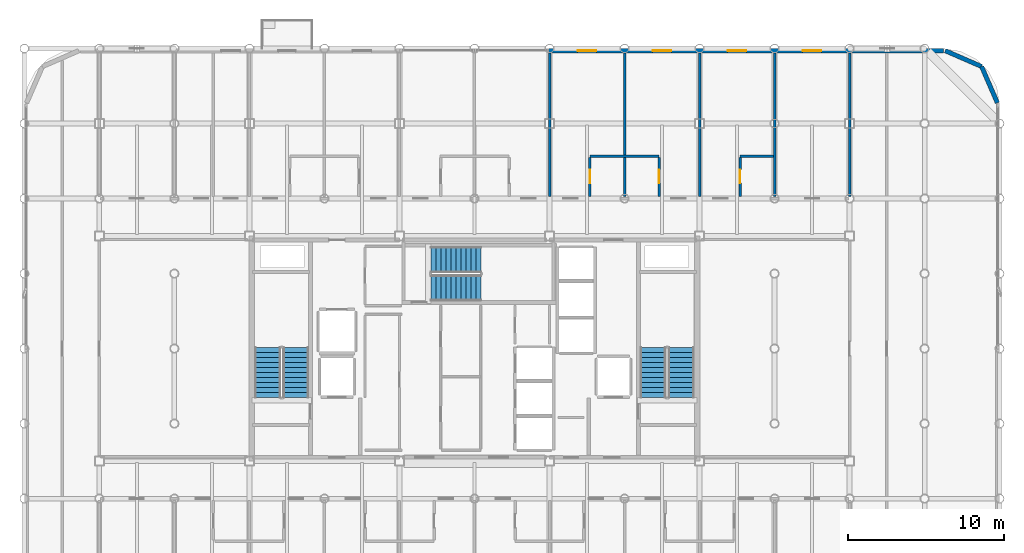
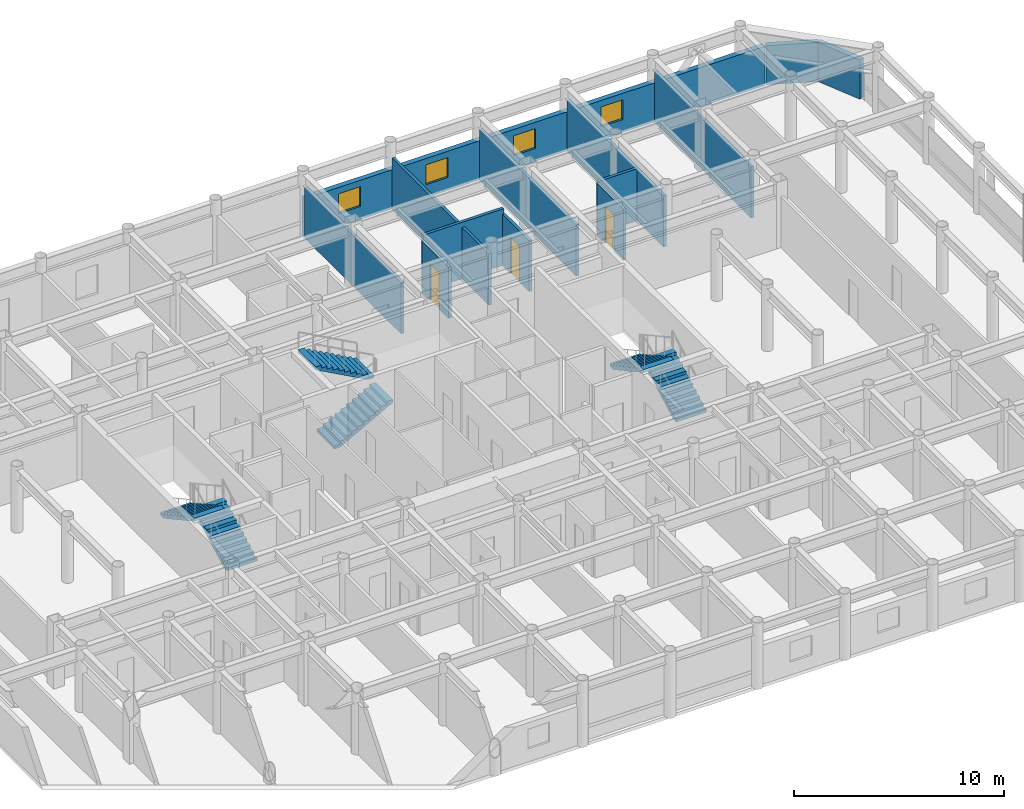
# One storey, part 21 of 23: 13 walls, 6 stair flights, 4 windows, 3 doors, 7 openings, 3 elements without a shape of their own.
"""IFC4 building model written with IfcOpenShell, lengths in metres."""

from ifc_helpers import new_model, si_unit, direction, frame, frame_2d, origin, place, context, subcontext, project, spatial, polyline, rectangle, outline, extrude, material, layer, layer_set, type_object, element, fill, aggregate, save


model = new_model("IFC4")

# Units and contexts
model_context = context("Model", 3, precision=1e-05, world=origin(), true_north=direction((0.0, 1.0)))
body_context = subcontext(model_context, "Body", "Model", "MODEL_VIEW")
ifc_project = project(units=[si_unit("LENGTHUNIT", "METRE"), si_unit("AREAUNIT", "SQUARE_METRE"), si_unit("VOLUMEUNIT", "CUBIC_METRE"), si_unit("PLANEANGLEUNIT", "RADIAN"), si_unit("MASSUNIT", "GRAM", prefix="KILO")], contexts=[model_context])

# Site, building, storey
site_placement = place(None, origin())
site = spatial("IfcSite", under=ifc_project, at=site_placement, CompositionType="ELEMENT")
building_placement = place(site_placement, origin())
building = spatial("IfcBuilding", under=site, at=building_placement, Name="Kallvorn Hotel Tower", CompositionType="ELEMENT")
storey_placement = place(building_placement, frame((0.0, 0.0, 195.35009765625)))
storey = spatial("IfcBuildingStorey", under=building, at=storey_placement, Name="L48", CompositionType="ELEMENT", Elevation=195.35009765625)

# Walls
ifc_material_1 = material(Name="Fire-rated double-layer acoustic gypsum drywall EI 60")
ifc_layer_1 = layer(ifc_material_1, 0.159912109375)
ifc_layer_set_1 = layer_set([ifc_layer_1], Name="WL_DEMISE_160")
wall_type_1 = type_object("IfcWallType", Name="WL_DEMISE_160", PredefinedType="PARTITIONING", material=ifc_layer_set_1)
wall_1_placement = place(storey_placement, frame((7.389892578125, 12.320068359375, 0.0), z_axis=(0.0, 0.0, 1.0), x_axis=(1.0, 0.0, 0.0)))
element("IfcWall", 1, at=wall_1_placement, inside=storey, type_object=wall_type_1, Name="L48 Suite 4813 Standard Twin Room Partition", PredefinedType="PARTITIONING", context=body_context, shape_type="SweptSolid", body=[
    extrude(rectangle(XDim=4.420166015625, YDim=0.159912109375, at=frame_2d((2.2099609375, 0.0))), origin(), (0.0, 0.0, 1.0), 3.27001953125),
])
wall_2_placement = place(storey_placement, frame((16.989990234375, 12.320068359375, 0.0), z_axis=(0.0, 0.0, 1.0), x_axis=(1.0, 0.0, 0.0)))
element("IfcWall", 2, at=wall_2_placement, inside=storey, type_object=wall_type_1, Name="L48 Suite 4815 Standard Twin Room Partition", PredefinedType="PARTITIONING", context=body_context, shape_type="SweptSolid", body=[
    extrude(rectangle(XDim=2.130126953125, YDim=0.159912109375, at=frame_2d((1.06494140625, 0.0))), origin(), (0.0, 0.0, 1.0), 3.02001953125),
])
wall_3_placement = place(storey_placement, frame((4.800048828125, 9.719970703125, 0.0), z_axis=(0.0, 0.0, 1.0), x_axis=(0.0, 1.0, 0.0)))
element("IfcWall", 3, at=wall_3_placement, inside=storey, type_object=wall_type_1, Name="L48 Suite 4812 Standard Twin Room Partition", PredefinedType="PARTITIONING", context=body_context, shape_type="SweptSolid", body=[
    extrude(rectangle(XDim=9.18994140625, YDim=0.159912109375, at=frame_2d((4.594970703125, 0.0))), origin(), (0.0, 0.0, 1.0), 2.969970703125),
])

# Wall, opening, door
wall_4_placement = place(storey_placement, frame((7.389892578125, 9.719970703125, 0.0), z_axis=(0.0, 0.0, 1.0), x_axis=(0.0, 1.0, 0.0)))
wall_4 = element("IfcWall", 4, at=wall_4_placement, inside=storey, type_object=wall_type_1, Name="L48 Suite 4813 Standard Twin Room Partition", PredefinedType="PARTITIONING", context=body_context, shape_type="SweptSolid", body=[
    extrude(rectangle(XDim=2.51513671875, YDim=0.159912109375, at=frame_2d((1.257568359375, 0.0))), origin(), (0.0, 0.0, 1.0), 2.969970703125),
])
opening_1_placement = place(wall_4_placement, frame((0.8701171875, 0.0, 0.0)))
opening_1 = element("IfcOpeningElement", 5, at=opening_1_placement, cuts=wall_4, Name="Opening BD-I", PredefinedType="OPENING", context=body_context, shape_type="SweptSolid", body=[
    extrude(rectangle(XDim=0.860107421875, YDim=2.10009765625, at=frame_2d((0.43017578125, 1.050048828125))), frame((0.0, 0.094970703125, 0.0), z_axis=(0.0, -1.0, 0.0), x_axis=(1.0, 0.0, 0.0)), (0.0, 0.0, 1.0), 0.18994140625),
])
ifc_material_2 = material(Name="Solid-core walnut veneer fire-rated timber door leaf", Category="wood")
door_type = type_object("IfcDoorType", Name="DR_BATH_860x2100", OperationType="NOTDEFINED", PredefinedType="DOOR", material=ifc_material_2)
door_1_placement = place(opening_1_placement, origin())
door_1 = element("IfcDoor", 6, at=door_1_placement, inside=storey, type_object=door_type, Name="L48 Suite 4813 En-Suite Bathroom Door", OperationType="SINGLE_SWING_LEFT", OverallHeight=2.10009765625, OverallWidth=0.860107421875, PredefinedType="DOOR", context=body_context, shape_type="SweptSolid", body=[
    extrude(rectangle(XDim=0.860107421875, YDim=2.10009765625, at=frame_2d((0.43017578125, 1.050048828125))), frame((0.0, 0.02490234375, 0.0), z_axis=(0.0, -1.0, 0.0), x_axis=(1.0, 0.0, 0.0)), (0.0, 0.0, 1.0), 0.050048828125),
])
fill(opening_1, door_1)

# Wall
wall_5_placement = place(storey_placement, frame((9.60009765625, 9.719970703125, 0.0), z_axis=(0.0, 0.0, 1.0), x_axis=(0.0, 1.0, 0.0)))
element("IfcWall", 7, at=wall_5_placement, inside=storey, type_object=wall_type_1, Name="L48 Suite 4813 Standard Twin Room Partition", PredefinedType="PARTITIONING", context=body_context, shape_type="SweptSolid", body=[
    extrude(rectangle(XDim=9.18994140625, YDim=0.159912109375, at=frame_2d((4.594970703125, 0.0))), origin(), (0.0, 0.0, 1.0), 2.969970703125),
])

# Wall, opening, door
wall_6_placement = place(storey_placement, frame((11.81005859375, 9.719970703125, 0.0), z_axis=(0.0, 0.0, 1.0), x_axis=(0.0, 1.0, 0.0)))
wall_6 = element("IfcWall", 8, at=wall_6_placement, inside=storey, type_object=wall_type_1, Name="L48 Suite 4814 Standard Twin Room Partition", PredefinedType="PARTITIONING", context=body_context, shape_type="SweptSolid", body=[
    extrude(rectangle(XDim=2.51513671875, YDim=0.159912109375, at=frame_2d((1.257568359375, 0.0))), origin(), (0.0, 0.0, 1.0), 2.969970703125),
])
opening_2_placement = place(wall_6_placement, frame((0.8701171875, 0.0, 0.0)))
opening_2 = element("IfcOpeningElement", 9, at=opening_2_placement, cuts=wall_6, Name="Opening BD-I", PredefinedType="OPENING", context=body_context, shape_type="SweptSolid", body=[
    extrude(rectangle(XDim=0.860107421875, YDim=2.10009765625, at=frame_2d((0.43017578125, 1.050048828125))), frame((0.0, 0.094970703125, 0.0), z_axis=(0.0, -1.0, 0.0), x_axis=(1.0, 0.0, 0.0)), (0.0, 0.0, 1.0), 0.18994140625),
])
door_2_placement = place(opening_2_placement, origin())
door_2 = element("IfcDoor", 10, at=door_2_placement, inside=storey, type_object=door_type, Name="L48 Suite 4814 En-Suite Bathroom Door", OperationType="SINGLE_SWING_LEFT", OverallHeight=2.10009765625, OverallWidth=0.860107421875, PredefinedType="DOOR", context=body_context, shape_type="SweptSolid", body=[
    extrude(rectangle(XDim=0.860107421875, YDim=2.10009765625, at=frame_2d((0.43017578125, 1.050048828125))), frame((0.0, 0.02490234375, 0.0), z_axis=(0.0, -1.0, 0.0), x_axis=(1.0, 0.0, 0.0)), (0.0, 0.0, 1.0), 0.050048828125),
])
fill(opening_2, door_2)

# Wall
wall_7_placement = place(storey_placement, frame((14.39990234375, 9.719970703125, 0.0), z_axis=(0.0, 0.0, 1.0), x_axis=(0.0, 1.0, 0.0)))
element("IfcWall", 11, at=wall_7_placement, inside=storey, type_object=wall_type_1, Name="L48 Suite 4814 Standard Twin Room Partition", PredefinedType="PARTITIONING", context=body_context, shape_type="SweptSolid", body=[
    extrude(rectangle(XDim=9.18994140625, YDim=0.159912109375, at=frame_2d((4.594970703125, 0.0))), origin(), (0.0, 0.0, 1.0), 2.969970703125),
])

# Wall, opening, door
wall_8_placement = place(storey_placement, frame((16.989990234375, 9.719970703125, 0.0), z_axis=(0.0, 0.0, 1.0), x_axis=(0.0, 1.0, 0.0)))
wall_8 = element("IfcWall", 12, at=wall_8_placement, inside=storey, type_object=wall_type_1, Name="L48 Suite 4815 Standard Twin Room Partition", PredefinedType="PARTITIONING", context=body_context, shape_type="SweptSolid", body=[
    extrude(rectangle(XDim=2.51513671875, YDim=0.159912109375, at=frame_2d((1.257568359375, 0.0))), origin(), (0.0, 0.0, 1.0), 2.969970703125),
])
opening_3_placement = place(wall_8_placement, frame((0.8701171875, 0.0, 0.0)))
opening_3 = element("IfcOpeningElement", 13, at=opening_3_placement, cuts=wall_8, Name="Opening BD-I", PredefinedType="OPENING", context=body_context, shape_type="SweptSolid", body=[
    extrude(rectangle(XDim=0.860107421875, YDim=2.10009765625, at=frame_2d((0.43017578125, 1.050048828125))), frame((0.0, 0.094970703125, 0.0), z_axis=(0.0, -1.0, 0.0), x_axis=(1.0, 0.0, 0.0)), (0.0, 0.0, 1.0), 0.18994140625),
])
door_3_placement = place(opening_3_placement, origin())
door_3 = element("IfcDoor", 14, at=door_3_placement, inside=storey, type_object=door_type, Name="L48 Suite 4815 En-Suite Bathroom Door", OperationType="SINGLE_SWING_LEFT", OverallHeight=2.10009765625, OverallWidth=0.860107421875, PredefinedType="DOOR", context=body_context, shape_type="SweptSolid", body=[
    extrude(rectangle(XDim=0.860107421875, YDim=2.10009765625, at=frame_2d((0.43017578125, 1.050048828125))), frame((0.0, 0.02490234375, 0.0), z_axis=(0.0, -1.0, 0.0), x_axis=(1.0, 0.0, 0.0)), (0.0, 0.0, 1.0), 0.050048828125),
])
fill(opening_3, door_3)

# Walls
wall_9_placement = place(storey_placement, frame((19.199951171875, 9.719970703125, 0.0), z_axis=(0.0, 0.0, 1.0), x_axis=(0.0, 1.0, 0.0)))
element("IfcWall", 15, at=wall_9_placement, inside=storey, type_object=wall_type_1, Name="L48 Suite 4815 Standard Twin Room Partition", PredefinedType="PARTITIONING", context=body_context, shape_type="SweptSolid", body=[
    extrude(rectangle(XDim=9.18994140625, YDim=0.159912109375, at=frame_2d((4.594970703125, 0.0))), origin(), (0.0, 0.0, 1.0), 2.969970703125),
])
ifc_material_3 = material(Name="Precast basalt-clad insulated concrete wall C40/50", Category="masonry")
ifc_layer_2 = layer(ifc_material_3, 0.280029296875)
ifc_layer_set_2 = layer_set([ifc_layer_2], Name="WL_EXT_LOGGIA_280")
wall_type_2 = type_object("IfcWallType", Name="WL_EXT_LOGGIA_280", PredefinedType="SOLIDWALL", material=ifc_layer_set_2)
wall_10_placement = place(storey_placement, frame((33.4580078125, 15.720703125, 0.0), z_axis=(0.0, 0.0, 1.0), x_axis=(-0.398792985289, 0.917040977756, 0.0)))
element("IfcWall", 16, at=wall_10_placement, inside=storey, type_object=wall_type_2, Name="L48 Rounded Corner Exterior Wall NE1", PredefinedType="SOLIDWALL", context=body_context, shape_type="SweptSolid", body=[
    extrude(rectangle(XDim=2.536376953125, YDim=0.280029296875, at=frame_2d((1.26806640625, 0.0))), origin(), (0.0, 0.0, 1.0), 2.27001953125),
])
wall_11_placement = place(storey_placement, frame((32.446533203125, 18.046630859375, 0.0), z_axis=(0.0, 0.0, 1.0), x_axis=(-0.917060872934, 0.398747232384, 0.0)))
element("IfcWall", 17, at=wall_11_placement, inside=storey, type_object=wall_type_2, Name="L48 Rounded Corner Exterior Wall NE2", PredefinedType="SOLIDWALL", context=body_context, shape_type="SweptSolid", body=[
    extrude(rectangle(XDim=2.5361328125, YDim=0.280029296875, at=frame_2d((1.26806640625, 0.0))), origin(), (0.0, 0.0, 1.0), 2.27001953125),
])

# Wall, openings, windows
wall_12_placement = place(storey_placement, frame((4.75, 19.06005859375, 0.0), z_axis=(0.0, 0.0, 1.0), x_axis=(1.0, 0.0, 0.0)))
wall_12 = element("IfcWall", 18, at=wall_12_placement, inside=storey, type_object=wall_type_2, Name="L48 Exterior Envelope Wall EW-L48-NE", PredefinedType="SOLIDWALL", context=body_context, shape_type="SweptSolid", body=[
    extrude(rectangle(XDim=25.25, YDim=0.280029296875, at=frame_2d((12.625, 0.0))), origin(), (0.0, 0.0, 1.0), 2.27001953125),
])
opening_4_placement = place(wall_12_placement, frame((16.25, 0.0, 0.75)))
opening_4 = element("IfcOpeningElement", 19, at=opening_4_placement, cuts=wall_12, Name="Opening W06A", PredefinedType="OPENING", context=body_context, shape_type="SweptSolid", body=[
    extrude(rectangle(XDim=1.199951171875, YDim=1.14990234375, at=frame_2d((0.60009765625, 0.574951171875))), frame((0.0, 0.155029296875, 0.0), z_axis=(0.0, -1.0, 0.0), x_axis=(1.0, 0.0, 0.0)), (0.0, 0.0, 1.0), 0.31005859375),
])
opening_5_placement = place(wall_12_placement, frame((1.85009765625, 0.0, 0.75)))
opening_5 = element("IfcOpeningElement", 20, at=opening_5_placement, cuts=wall_12, Name="Opening W06A", PredefinedType="OPENING", context=body_context, shape_type="SweptSolid", body=[
    extrude(rectangle(XDim=1.199951171875, YDim=1.14990234375, at=frame_2d((0.60009765625, 0.574951171875))), frame((0.0, 0.155029296875, 0.0), z_axis=(0.0, -1.0, 0.0), x_axis=(1.0, 0.0, 0.0)), (0.0, 0.0, 1.0), 0.31005859375),
])
opening_6_placement = place(wall_12_placement, frame((6.64990234375, 0.0, 0.75)))
opening_6 = element("IfcOpeningElement", 21, at=opening_6_placement, cuts=wall_12, Name="Opening W06A", PredefinedType="OPENING", context=body_context, shape_type="SweptSolid", body=[
    extrude(rectangle(XDim=1.199951171875, YDim=1.14990234375, at=frame_2d((0.60009765625, 0.574951171875))), frame((0.0, 0.155029296875, 0.0), z_axis=(0.0, -1.0, 0.0), x_axis=(1.0, 0.0, 0.0)), (0.0, 0.0, 1.0), 0.31005859375),
])
opening_7_placement = place(wall_12_placement, frame((11.449951171875, 0.0, 0.75)))
opening_7 = element("IfcOpeningElement", 22, at=opening_7_placement, cuts=wall_12, Name="Opening W06A", PredefinedType="OPENING", context=body_context, shape_type="SweptSolid", body=[
    extrude(rectangle(XDim=1.199951171875, YDim=1.14990234375, at=frame_2d((0.60009765625, 0.574951171875))), frame((0.0, 0.155029296875, 0.0), z_axis=(0.0, -1.0, 0.0), x_axis=(1.0, 0.0, 0.0)), (0.0, 0.0, 1.0), 0.31005859375),
])
ifc_material_4 = material(Name="Triple-glazed low-e acoustic solar-control dark glass", Category="glass")
window_type = type_object("IfcWindowType", Name="WN_HTL_1200x1150", PartitioningType="SINGLE_PANEL", PredefinedType="WINDOW", material=ifc_material_4)
window_1_placement = place(opening_4_placement, origin())
window_1 = element("IfcWindow", 23, at=window_1_placement, inside=storey, type_object=window_type, Name="L48 Guestroom Exterior Window 02", OverallHeight=1.14990234375, OverallWidth=1.199951171875, PartitioningType="SINGLE_PANEL", PredefinedType="WINDOW", context=body_context, shape_type="SweptSolid", body=[
    extrude(rectangle(XDim=1.199951171875, YDim=1.14990234375, at=frame_2d((0.60009765625, 0.574951171875))), frame((0.0, 0.030029296875, 0.0), z_axis=(0.0, -1.0, 0.0), x_axis=(1.0, 0.0, 0.0)), (0.0, 0.0, 1.0), 0.06005859375),
])
fill(opening_4, window_1)
window_2_placement = place(opening_5_placement, origin())
window_2 = element("IfcWindow", 24, at=window_2_placement, inside=storey, type_object=window_type, Name="L48 Guestroom Exterior Window 11", OverallHeight=1.14990234375, OverallWidth=1.199951171875, PartitioningType="SINGLE_PANEL", PredefinedType="WINDOW", context=body_context, shape_type="SweptSolid", body=[
    extrude(rectangle(XDim=1.199951171875, YDim=1.14990234375, at=frame_2d((0.60009765625, 0.574951171875))), frame((0.0, 0.030029296875, 0.0), z_axis=(0.0, -1.0, 0.0), x_axis=(1.0, 0.0, 0.0)), (0.0, 0.0, 1.0), 0.06005859375),
])
fill(opening_5, window_2)
window_3_placement = place(opening_6_placement, origin())
window_3 = element("IfcWindow", 25, at=window_3_placement, inside=storey, type_object=window_type, Name="L48 Guestroom Exterior Window 12", OverallHeight=1.14990234375, OverallWidth=1.199951171875, PartitioningType="SINGLE_PANEL", PredefinedType="WINDOW", context=body_context, shape_type="SweptSolid", body=[
    extrude(rectangle(XDim=1.199951171875, YDim=1.14990234375, at=frame_2d((0.60009765625, 0.574951171875))), frame((0.0, 0.030029296875, 0.0), z_axis=(0.0, -1.0, 0.0), x_axis=(1.0, 0.0, 0.0)), (0.0, 0.0, 1.0), 0.06005859375),
])
fill(opening_6, window_3)
window_4_placement = place(opening_7_placement, origin())
window_4 = element("IfcWindow", 26, at=window_4_placement, inside=storey, type_object=window_type, Name="L48 Guestroom Exterior Window 13", OverallHeight=1.14990234375, OverallWidth=1.199951171875, PartitioningType="SINGLE_PANEL", PredefinedType="WINDOW", context=body_context, shape_type="SweptSolid", body=[
    extrude(rectangle(XDim=1.199951171875, YDim=1.14990234375, at=frame_2d((0.60009765625, 0.574951171875))), frame((0.0, 0.030029296875, 0.0), z_axis=(0.0, -1.0, 0.0), x_axis=(1.0, 0.0, 0.0)), (0.0, 0.0, 1.0), 0.06005859375),
])
fill(opening_7, window_4)

# Wall
ifc_material_5 = material(Name="Fire-rated double-layer acoustic gypsum drywall EI 60")
ifc_layer_3 = layer(ifc_material_5, 0.14990234375)
ifc_layer_set_3 = layer_set([ifc_layer_3], Name="WL_PART_150")
wall_type_3 = type_object("IfcWallType", Name="WL_PART_150", PredefinedType="PARTITIONING", material=ifc_layer_set_3)
wall_13_placement = place(storey_placement, frame((24.0, 9.719970703125, 0.0), z_axis=(0.0, 0.0, 1.0), x_axis=(0.0, 1.0, 0.0)))
element("IfcWall", 27, at=wall_13_placement, inside=storey, type_object=wall_type_3, Name="L48 L48 High-Zone North-East Pastry Bar Partition", PredefinedType="PARTITIONING", context=body_context, shape_type="SweptSolid", body=[
    extrude(rectangle(XDim=9.18994140625, YDim=0.14990234375, at=frame_2d((4.594970703125, 0.0))), origin(), (0.0, 0.0, 1.0), 2.969970703125),
])

# Stair, stair flights
ifc_material_6 = material(Name="Precast concrete C40/50", Category="concrete")
stair_type = type_object("IfcStairType", Name="STR_CORE_DOGLEG", PredefinedType="HALF_TURN_STAIR", material=ifc_material_6)
stair_1_placement = place(storey_placement, origin())
stair_1 = element("IfcStair", 28, at=stair_1_placement, inside=storey, type_object=stair_type, Name="L48 Exit stair ST1", PredefinedType="HALF_TURN_STAIR")
ifc_material_7 = material(Name="Precast concrete C40/50", Category="concrete")
stair_flight_type = type_object("IfcStairFlightType", Name="FLT_CORE_1660", PredefinedType="STRAIGHT", material=ifc_material_7)
stair_flight_1_placement = place(storey_placement, frame((-11.429931640625, -3.139892578125, 0.0), z_axis=(0.0, 0.0, 1.0), x_axis=(0.0, 1.0, 0.0)))
stair_flight_1 = element("IfcStairFlight", 29, at=stair_flight_1_placement, type_object=stair_flight_type, Name="ST1 flight 1", NumberOfRisers=11, NumberOfTreads=10, PredefinedType="STRAIGHT", RiserHeight=0.175, TreadLength=0.32, context=body_context, shape_type="SweptSolid", body=[
    extrude(outline(polyline([(0.0, 0.0), (0.0, 0.175048828125), (0.320068359375, 0.175048828125), (0.320068359375, 0.35009765625), (0.639892578125, 0.35009765625), (0.639892578125, 0.52490234375), (0.9599609375, 0.52490234375), (0.9599609375, 0.699951171875), (1.280029296875, 0.699951171875), (1.280029296875, 0.875), (1.60009765625, 0.875), (1.60009765625, 1.050048828125), (1.919921875, 1.050048828125), (1.919921875, 1.22509765625), (2.239990234375, 1.22509765625), (2.239990234375, 1.39990234375), (2.56005859375, 1.39990234375), (2.56005859375, 1.574951171875), (2.8798828125, 1.574951171875), (2.8798828125, 1.75), (3.199951171875, 1.75), (3.199951171875, 1.925048828125), (3.199951171875, 1.5791015625), (0.3125, 0.0), (0.0, 0.0)])), frame((0.0, 0.830078125, 0.0), z_axis=(0.0, -1.0, 0.0), x_axis=(1.0, 0.0, 0.0)), (0.0, 0.0, 1.0), 1.659912109375),
])
stair_flight_2_placement = place(storey_placement, frame((-13.22998046875, 0.06005859375, 1.9248046875), z_axis=(0.0, 0.0, 1.0), x_axis=(0.0, -1.0, 0.0)))
stair_flight_2 = element("IfcStairFlight", 30, at=stair_flight_2_placement, type_object=stair_flight_type, Name="ST1 flight 2", NumberOfRisers=11, NumberOfTreads=10, PredefinedType="STRAIGHT", RiserHeight=0.175, TreadLength=0.32, context=body_context, shape_type="SweptSolid", body=[
    extrude(outline(polyline([(0.0, 0.0), (0.0, 0.175048828125), (0.320068359375, 0.175048828125), (0.320068359375, 0.35009765625), (0.639892578125, 0.35009765625), (0.639892578125, 0.52490234375), (0.9599609375, 0.52490234375), (0.9599609375, 0.699951171875), (1.280029296875, 0.699951171875), (1.280029296875, 0.875), (1.60009765625, 0.875), (1.60009765625, 1.050048828125), (1.919921875, 1.050048828125), (1.919921875, 1.22509765625), (2.239990234375, 1.22509765625), (2.239990234375, 1.39990234375), (2.56005859375, 1.39990234375), (2.56005859375, 1.574951171875), (2.8798828125, 1.574951171875), (2.8798828125, 1.75), (3.199951171875, 1.75), (3.199951171875, 1.925048828125), (3.199951171875, 1.5791015625), (0.3125, 0.0), (0.0, 0.0)])), frame((0.0, 0.830078125, 0.0), z_axis=(0.0, -1.0, 0.0), x_axis=(1.0, 0.0, 0.0)), (0.0, 0.0, 1.0), 1.659912109375),
])
aggregate(stair_1, [stair_flight_1, stair_flight_2])

stair_2_placement = place(storey_placement, origin())
stair_2 = element("IfcStair", 31, at=stair_2_placement, inside=storey, type_object=stair_type, Name="L48 Exit stair ST2", PredefinedType="HALF_TURN_STAIR")
stair_flight_3_placement = place(storey_placement, frame((13.22998046875, -3.139892578125, 0.0), z_axis=(0.0, 0.0, 1.0), x_axis=(0.0, 1.0, 0.0)))
stair_flight_3 = element("IfcStairFlight", 32, at=stair_flight_3_placement, type_object=stair_flight_type, Name="ST2 flight 1", NumberOfRisers=11, NumberOfTreads=10, PredefinedType="STRAIGHT", RiserHeight=0.175, TreadLength=0.32, context=body_context, shape_type="SweptSolid", body=[
    extrude(outline(polyline([(0.0, 0.0), (0.0, 0.175048828125), (0.320068359375, 0.175048828125), (0.320068359375, 0.35009765625), (0.639892578125, 0.35009765625), (0.639892578125, 0.52490234375), (0.9599609375, 0.52490234375), (0.9599609375, 0.699951171875), (1.280029296875, 0.699951171875), (1.280029296875, 0.875), (1.60009765625, 0.875), (1.60009765625, 1.050048828125), (1.919921875, 1.050048828125), (1.919921875, 1.22509765625), (2.239990234375, 1.22509765625), (2.239990234375, 1.39990234375), (2.56005859375, 1.39990234375), (2.56005859375, 1.574951171875), (2.8798828125, 1.574951171875), (2.8798828125, 1.75), (3.199951171875, 1.75), (3.199951171875, 1.925048828125), (3.199951171875, 1.5791015625), (0.3125, 0.0), (0.0, 0.0)])), frame((0.0, 0.830078125, 0.0), z_axis=(0.0, -1.0, 0.0), x_axis=(1.0, 0.0, 0.0)), (0.0, 0.0, 1.0), 1.659912109375),
])
stair_flight_4_placement = place(storey_placement, frame((11.429931640625, 0.06005859375, 1.9248046875), z_axis=(0.0, 0.0, 1.0), x_axis=(0.0, -1.0, 0.0)))
stair_flight_4 = element("IfcStairFlight", 33, at=stair_flight_4_placement, type_object=stair_flight_type, Name="ST2 flight 2", NumberOfRisers=11, NumberOfTreads=10, PredefinedType="STRAIGHT", RiserHeight=0.175, TreadLength=0.32, context=body_context, shape_type="SweptSolid", body=[
    extrude(outline(polyline([(0.0, 0.0), (0.0, 0.175048828125), (0.320068359375, 0.175048828125), (0.320068359375, 0.35009765625), (0.639892578125, 0.35009765625), (0.639892578125, 0.52490234375), (0.9599609375, 0.52490234375), (0.9599609375, 0.699951171875), (1.280029296875, 0.699951171875), (1.280029296875, 0.875), (1.60009765625, 0.875), (1.60009765625, 1.050048828125), (1.919921875, 1.050048828125), (1.919921875, 1.22509765625), (2.239990234375, 1.22509765625), (2.239990234375, 1.39990234375), (2.56005859375, 1.39990234375), (2.56005859375, 1.574951171875), (2.8798828125, 1.574951171875), (2.8798828125, 1.75), (3.199951171875, 1.75), (3.199951171875, 1.925048828125), (3.199951171875, 1.5791015625), (0.3125, 0.0), (0.0, 0.0)])), frame((0.0, 0.830078125, 0.0), z_axis=(0.0, -1.0, 0.0), x_axis=(1.0, 0.0, 0.0)), (0.0, 0.0, 1.0), 1.659912109375),
])
aggregate(stair_2, [stair_flight_3, stair_flight_4])

stair_3_placement = place(storey_placement, origin())
stair_3 = element("IfcStair", 34, at=stair_3_placement, inside=storey, type_object=stair_type, Name="L48 Exit stair ST3", PredefinedType="HALF_TURN_STAIR")
stair_flight_5_placement = place(storey_placement, frame((-2.7900390625, 3.8798828125, 0.0), z_axis=(0.0, 0.0, 1.0), x_axis=(1.0, 0.0, 0.0)))
stair_flight_5 = element("IfcStairFlight", 35, at=stair_flight_5_placement, type_object=stair_flight_type, Name="ST3 flight 1", NumberOfRisers=11, NumberOfTreads=10, PredefinedType="STRAIGHT", RiserHeight=0.175, TreadLength=0.32, context=body_context, shape_type="SweptSolid", body=[
    extrude(outline(polyline([(0.0, 0.0), (0.0, 0.175048828125), (0.320068359375, 0.175048828125), (0.320068359375, 0.35009765625), (0.639892578125, 0.35009765625), (0.639892578125, 0.52490234375), (0.9599609375, 0.52490234375), (0.9599609375, 0.699951171875), (1.280029296875, 0.699951171875), (1.280029296875, 0.875), (1.60009765625, 0.875), (1.60009765625, 1.050048828125), (1.919921875, 1.050048828125), (1.919921875, 1.22509765625), (2.239990234375, 1.22509765625), (2.239990234375, 1.39990234375), (2.56005859375, 1.39990234375), (2.56005859375, 1.574951171875), (2.8798828125, 1.574951171875), (2.8798828125, 1.75), (3.199951171875, 1.75), (3.199951171875, 1.925048828125), (3.199951171875, 1.5791015625), (0.3125, 0.0), (0.0, 0.0)])), frame((0.0, 0.830078125, 0.0), z_axis=(0.0, -1.0, 0.0), x_axis=(1.0, 0.0, 0.0)), (0.0, 0.0, 1.0), 1.659912109375),
])
stair_flight_6_placement = place(storey_placement, frame((0.409912109375, 5.679931640625, 1.9248046875), z_axis=(0.0, 0.0, 1.0), x_axis=(-1.0, 0.0, 0.0)))
stair_flight_6 = element("IfcStairFlight", 36, at=stair_flight_6_placement, type_object=stair_flight_type, Name="ST3 flight 2", NumberOfRisers=11, NumberOfTreads=10, PredefinedType="STRAIGHT", RiserHeight=0.175, TreadLength=0.32, context=body_context, shape_type="SweptSolid", body=[
    extrude(outline(polyline([(0.0, 0.0), (0.0, 0.175048828125), (0.320068359375, 0.175048828125), (0.320068359375, 0.35009765625), (0.639892578125, 0.35009765625), (0.639892578125, 0.52490234375), (0.9599609375, 0.52490234375), (0.9599609375, 0.699951171875), (1.280029296875, 0.699951171875), (1.280029296875, 0.875), (1.60009765625, 0.875), (1.60009765625, 1.050048828125), (1.919921875, 1.050048828125), (1.919921875, 1.22509765625), (2.239990234375, 1.22509765625), (2.239990234375, 1.39990234375), (2.56005859375, 1.39990234375), (2.56005859375, 1.574951171875), (2.8798828125, 1.574951171875), (2.8798828125, 1.75), (3.199951171875, 1.75), (3.199951171875, 1.925048828125), (3.199951171875, 1.5791015625), (0.3125, 0.0), (0.0, 0.0)])), frame((0.0, 0.830078125, 0.0), z_axis=(0.0, -1.0, 0.0), x_axis=(1.0, 0.0, 0.0)), (0.0, 0.0, 1.0), 1.659912109375),
])
aggregate(stair_3, [stair_flight_5, stair_flight_6])

save(model, "model.ifc")
